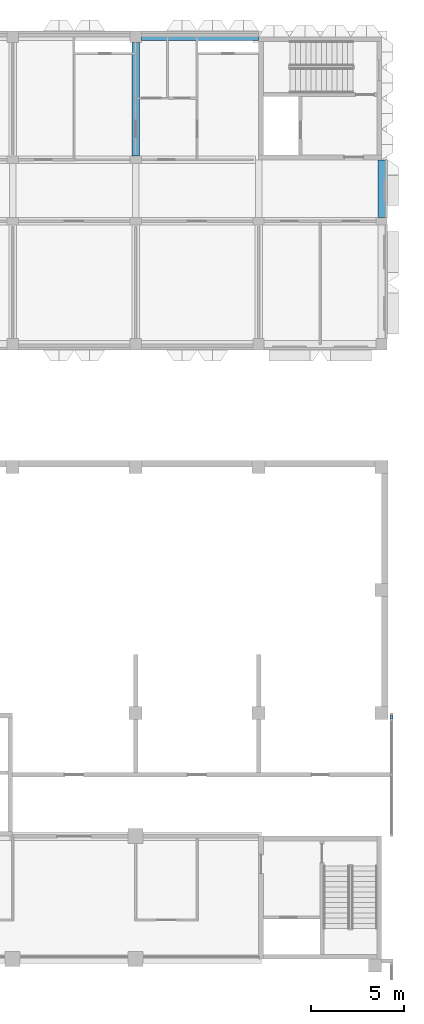
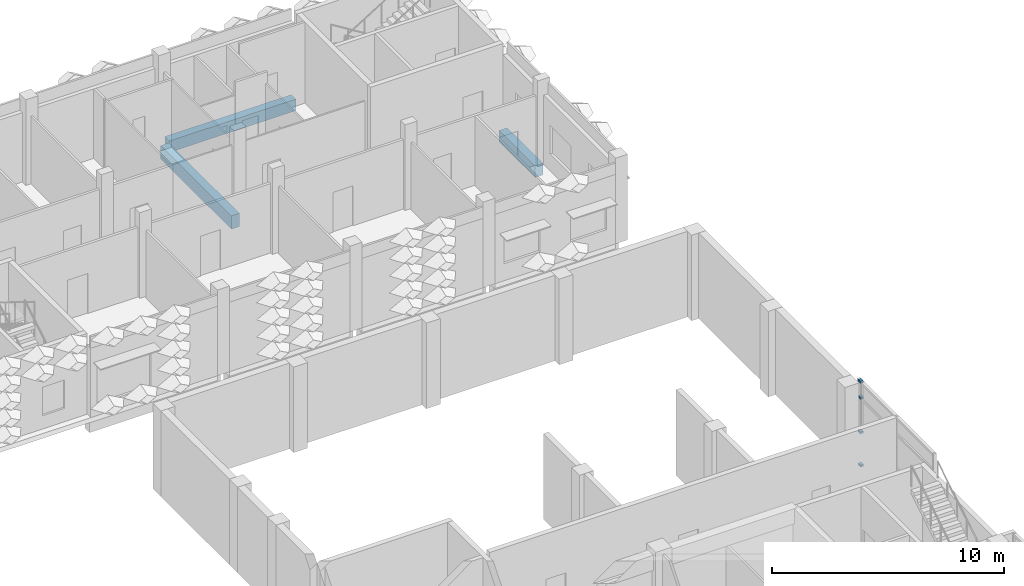
# One storey, part 20 of 87: 4 members, 3 beams, 1 element without a shape of its own.
"""IFC4 building model written with IfcOpenShell, lengths in metres."""

from ifc_helpers import new_model, si_unit, direction, frame, origin, origin_2d, place, context, subcontext, project, spatial, rectangle, extrude, material, material_profile, profile_set, type_object, element, aggregate, save


model = new_model("IFC4")

# Units and contexts
model_context = context("Model", 3, precision=1e-05, world=origin(), true_north=direction((0.0, 1.0)))
body_context = subcontext(model_context, "Body", "Model", "MODEL_VIEW")
ifc_project = project(units=[si_unit("LENGTHUNIT", "METRE"), si_unit("AREAUNIT", "SQUARE_METRE"), si_unit("VOLUMEUNIT", "CUBIC_METRE"), si_unit("PLANEANGLEUNIT", "RADIAN"), si_unit("MASSUNIT", "GRAM", prefix="KILO")], contexts=[model_context])

# Site, building, storey
site_placement = place(None, origin())
site = spatial("IfcSite", under=ifc_project, at=site_placement, CompositionType="ELEMENT")
building_placement = place(site_placement, origin())
building = spatial("IfcBuilding", under=site, at=building_placement, Name="Lantern Court Research Institute", CompositionType="ELEMENT")
storey_placement = place(building_placement, frame((0.0, 0.0, 5.39990234375)))
storey = spatial("IfcBuildingStorey", under=building, at=storey_placement, Name="L01", CompositionType="ELEMENT", Elevation=5.39990234375)

# Beams
ifc_material_1 = material(Name="Concrete C40/50", Category="concrete")
ifc_material_profile_1 = material_profile(ifc_material_1, rectangle(XDim=0.39990234375, YDim=0.699951171875, at=origin_2d()), Name="RC beam 400 x 700")
ifc_profile_set_1 = profile_set([ifc_material_profile_1], Name="Concrete C40/50")
beam_type_1 = type_object("IfcBeamType", Name="RC beam 400 x 700", PredefinedType="BEAM", material=ifc_profile_set_1)
beam_1_placement = place(storey_placement, frame((66.0, 92.60009765625, -0.599853515625), z_axis=(0.0, 1.0, 0.0), x_axis=(-1.0, 0.0, 0.0)))
element("IfcBeam", 1, at=beam_1_placement, inside=storey, type_object=beam_type_1, Name="Beam L01 grid 11/L-M", PredefinedType="BEAM", context=body_context, shape_type="SweptSolid", body=[
    extrude(rectangle(XDim=0.39990234375, YDim=0.699951171875, at=origin_2d()), origin(), (0.0, 0.0, 1.0), 6.099853515625),
])
ifc_material_2 = material(Name="Concrete C40/50", Category="concrete")
ifc_material_profile_2 = material_profile(ifc_material_2, rectangle(XDim=0.39990234375, YDim=0.60009765625, at=origin_2d()), Name="RC beam 400 x 600")
ifc_profile_set_2 = profile_set([ifc_material_profile_2], Name="Concrete C40/50")
beam_type_2 = type_object("IfcBeamType", Name="RC edge beam 400 x 600", PredefinedType="BEAM", material=ifc_profile_set_2)
beam_2_placement = place(storey_placement, frame((79.199951171875, 89.300048828125, -0.5498046875), z_axis=(0.0, 1.0, 0.0), x_axis=(-1.0, 0.0, 0.0)))
element("IfcBeam", 2, at=beam_2_placement, inside=storey, type_object=beam_type_2, Name="Edge beam L01 grid 13/K-L", PredefinedType="BEAM", context=body_context, shape_type="SweptSolid", body=[
    extrude(rectangle(XDim=0.39990234375, YDim=0.60009765625, at=origin_2d()), origin(), (0.0, 0.0, 1.0), 3.099853515625),
])
beam_3_placement = place(storey_placement, frame((66.300048828125, 99.0, -0.5498046875), z_axis=(1.0, 0.0, 0.0), x_axis=(0.0, 1.0, 0.0)))
element("IfcBeam", 3, at=beam_3_placement, inside=storey, type_object=beam_type_2, Name="Edge beam L01 grid M/11-12", PredefinedType="BEAM", context=body_context, shape_type="SweptSolid", body=[
    extrude(rectangle(XDim=0.39990234375, YDim=0.60009765625, at=origin_2d()), origin(), (0.0, 0.0, 1.0), 6.300048828125),
])

# Curtain wall, members
ifc_material_3 = material(Name="Aluminium alloy 6063-T6", Category="aluminium")
curtain_wall_type = type_object("IfcCurtainWallType", Name="Curtain wall 6600 x 4500 x 150 aluminium frame", PredefinedType="NOTDEFINED", material=ifc_material_3)
curtain_wall_placement = place(storey_placement, origin())
curtain_wall = element("IfcCurtainWall", 4, at=curtain_wall_placement, inside=storey, type_object=curtain_wall_type, Name="Curtain wall CW016", PredefinedType="NOTDEFINED")
ifc_material_4 = material(Name="Aluminium alloy 6063-T6", Category="aluminium")
ifc_material_profile_3 = material_profile(ifc_material_4, rectangle(XDim=0.14990234375, YDim=0.10009765625, at=origin_2d()), Name="Transom 150 x 100")
ifc_profile_set_3 = profile_set([ifc_material_profile_3], Name="Aluminium alloy 6063-T6")
member_type = type_object("IfcMemberType", Name="Transom 150 x 100 aluminium", PredefinedType="USERDEFINED", material=ifc_profile_set_3)
member_1_placement = place(storey_placement, frame((79.72509765625, 62.60009765625, 0.050048828125), z_axis=(0.0, -1.0, 0.0), x_axis=(1.0, 0.0, 0.0)))
member_1 = element("IfcMember", 5, at=member_1_placement, type_object=member_type, Name="CW016 transom 3.1", ObjectType="TRANSOM", PredefinedType="USERDEFINED", context=body_context, shape_type="SweptSolid", body=[
    extrude(rectangle(XDim=0.14990234375, YDim=0.10009765625, at=origin_2d()), origin(), (0.0, 0.0, 1.0), 0.2001953125),
])
member_2_placement = place(storey_placement, frame((79.72509765625, 62.60009765625, 1.800048828125), z_axis=(0.0, -1.0, 0.0), x_axis=(1.0, 0.0, 0.0)))
member_2 = element("IfcMember", 6, at=member_2_placement, type_object=member_type, Name="CW016 transom 3.2", ObjectType="TRANSOM", PredefinedType="USERDEFINED", context=body_context, shape_type="SweptSolid", body=[
    extrude(rectangle(XDim=0.14990234375, YDim=0.10009765625, at=origin_2d()), origin(), (0.0, 0.0, 1.0), 0.2001953125),
])
member_3_placement = place(storey_placement, frame((79.72509765625, 62.60009765625, 3.60009765625), z_axis=(0.0, -1.0, 0.0), x_axis=(1.0, 0.0, 0.0)))
member_3 = element("IfcMember", 7, at=member_3_placement, type_object=member_type, Name="CW016 transom 3.3", ObjectType="TRANSOM", PredefinedType="USERDEFINED", context=body_context, shape_type="SweptSolid", body=[
    extrude(rectangle(XDim=0.14990234375, YDim=0.10009765625, at=origin_2d()), origin(), (0.0, 0.0, 1.0), 0.2001953125),
])
member_4_placement = place(storey_placement, frame((79.72509765625, 62.60009765625, 4.4501953125), z_axis=(0.0, -1.0, 0.0), x_axis=(1.0, 0.0, 0.0)))
member_4 = element("IfcMember", 8, at=member_4_placement, type_object=member_type, Name="CW016 transom 3.4", ObjectType="TRANSOM", PredefinedType="USERDEFINED", context=body_context, shape_type="SweptSolid", body=[
    extrude(rectangle(XDim=0.14990234375, YDim=0.10009765625, at=origin_2d()), origin(), (0.0, 0.0, 1.0), 0.2001953125),
])
aggregate(curtain_wall, [member_1, member_2, member_3, member_4])

save(model, "model.ifc")
